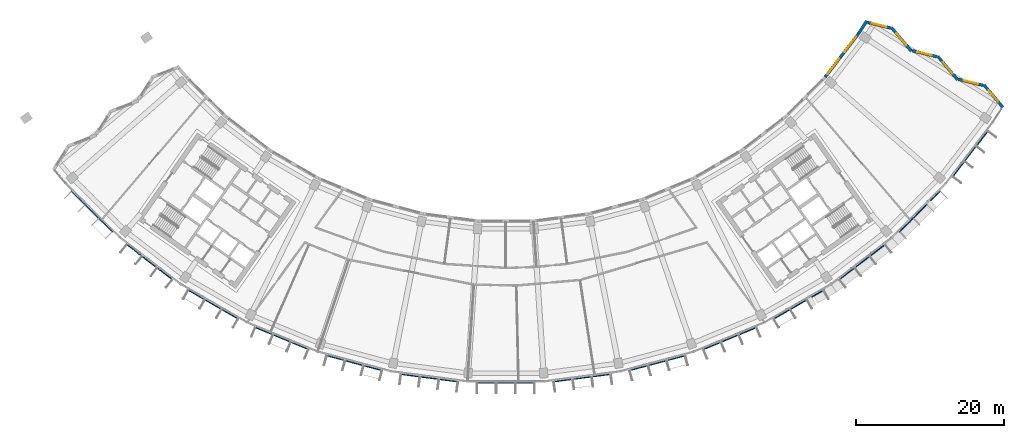
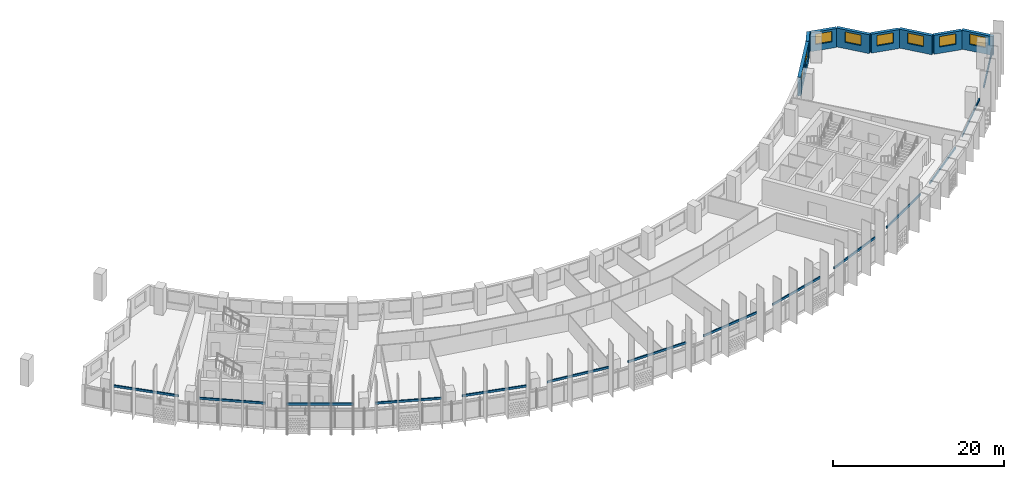
# One storey, part 8 of 27: 14 discrete accessories, 8 walls, 8 windows, 8 openings.
"""IFC4 building model written with IfcOpenShell, lengths in metres."""

from ifc_helpers import new_model, si_unit, direction, frame, frame_2d, origin, origin_2d, place, context, subcontext, project, spatial, rectangle, extrude, material, layer, layer_set, type_object, element, fill, save


model = new_model("IFC4")

# Units and contexts
model_context = context("Model", 3, precision=1e-05, world=origin(), true_north=direction((0.0, 1.0)))
body_context = subcontext(model_context, "Body", "Model", "MODEL_VIEW")
ifc_project = project(units=[si_unit("LENGTHUNIT", "METRE"), si_unit("AREAUNIT", "SQUARE_METRE"), si_unit("VOLUMEUNIT", "CUBIC_METRE"), si_unit("PLANEANGLEUNIT", "RADIAN"), si_unit("MASSUNIT", "GRAM", prefix="KILO")], contexts=[model_context])

# Site, building, storey
site_placement = place(None, origin())
site = spatial("IfcSite", under=ifc_project, at=site_placement, CompositionType="ELEMENT")
building_placement = place(site_placement, origin())
building = spatial("IfcBuilding", under=site, at=building_placement, Name="Qamariyya Broadcast Tower", CompositionType="ELEMENT")
storey_placement = place(building_placement, frame((0.0, 0.0, 172.10009765625)))
storey = spatial("IfcBuildingStorey", under=building, at=storey_placement, Name="L40", CompositionType="ELEMENT", Elevation=172.10009765625)

# Wall, opening, window
ifc_material_1 = material(Name="Terracotta", Category="masonry")
ifc_layer = layer(ifc_material_1, 0.39990234375)
ifc_layer_set = layer_set([ifc_layer], Name="Terracotta clad wall 400")
wall_type = type_object("IfcWallType", Name="Terracotta clad wall 400", PredefinedType="SOLIDWALL", material=ifc_layer_set)
wall_1_placement = place(storey_placement, frame((66.99462890625, -41.748779296875, 0.0), z_axis=(0.0, 0.0, 1.0), x_axis=(-0.644509491975, 0.764596308358, 0.0)))
wall_1 = element("IfcWall", 1, at=wall_1_placement, inside=storey, type_object=wall_type, Name="e-wl-L40-capE0", PredefinedType="SOLIDWALL", context=body_context, shape_type="SweptSolid", body=[
    extrude(rectangle(XDim=3.921630859375, YDim=0.39990234375, at=frame_2d((1.9609375, 0.0))), origin(), (0.0, 0.0, 1.0), 2.699951171875),
])
opening_1_placement = place(wall_1_placement, frame((0.9609375, 0.0, 0.89990234375)))
opening_1 = element("IfcOpeningElement", 2, at=opening_1_placement, cuts=wall_1, Name="Opening W4", PredefinedType="OPENING", context=body_context, shape_type="SweptSolid", body=[
    extrude(rectangle(XDim=2.0, YDim=1.5, at=frame_2d((1.0, 0.75))), frame((0.0, 0.2099609375, 0.0), z_axis=(0.0, -1.0, 0.0), x_axis=(1.0, 0.0, 0.0)), (0.0, 0.0, 1.0), 0.419921875),
])
ifc_material_2 = material(Name="Clear low-e double glazed unit in aluminium frame", Category="aluminium")
window_type_1 = type_object("IfcWindowType", Name="Horn bay window 2000 x 1500", PartitioningType="SINGLE_PANEL", PredefinedType="WINDOW", material=ifc_material_2)
window_1_placement = place(opening_1_placement, origin())
window_1 = element("IfcWindow", 3, at=window_1_placement, inside=storey, type_object=window_type_1, Name="e-w-L40-capE0", OverallHeight=1.5, OverallWidth=2.0, PartitioningType="SINGLE_PANEL", PredefinedType="WINDOW", context=body_context, shape_type="SweptSolid", body=[
    extrude(rectangle(XDim=2.0, YDim=1.5, at=frame_2d((1.0, 0.75))), frame((0.0, 0.030029296875, 0.0), z_axis=(0.0, -1.0, 0.0), x_axis=(1.0, 0.0, 0.0)), (0.0, 0.0, 1.0), 0.06005859375),
])
fill(opening_1, window_1)

wall_2_placement = place(storey_placement, frame((64.335693359375, -38.79150390625, 0.0), z_axis=(0.0, 0.0, 1.0), x_axis=(-0.97184812414, 0.235608199358, 0.0)))
wall_2 = element("IfcWall", 4, at=wall_2_placement, inside=storey, type_object=wall_type, Name="e-wl-L40-capE1", PredefinedType="SOLIDWALL", context=body_context, shape_type="SweptSolid", body=[
    extrude(rectangle(XDim=3.41943359375, YDim=0.39990234375, at=frame_2d((1.709716796875, 0.0))), origin(), (0.0, 0.0, 1.0), 2.699951171875),
])
opening_2_placement = place(wall_2_placement, frame((0.709716796875, 0.0, 0.89990234375)))
opening_2 = element("IfcOpeningElement", 5, at=opening_2_placement, cuts=wall_2, Name="Opening W4", PredefinedType="OPENING", context=body_context, shape_type="SweptSolid", body=[
    extrude(rectangle(XDim=2.0, YDim=1.5, at=frame_2d((1.0, 0.75))), frame((0.0, 0.2099609375, 0.0), z_axis=(0.0, -1.0, 0.0), x_axis=(1.0, 0.0, 0.0)), (0.0, 0.0, 1.0), 0.419921875),
])
window_2_placement = place(opening_2_placement, origin())
window_2 = element("IfcWindow", 6, at=window_2_placement, inside=storey, type_object=window_type_1, Name="e-w-L40-capE1", OverallHeight=1.5, OverallWidth=2.0, PartitioningType="SINGLE_PANEL", PredefinedType="WINDOW", context=body_context, shape_type="SweptSolid", body=[
    extrude(rectangle(XDim=2.0, YDim=1.5, at=frame_2d((1.0, 0.75))), frame((0.0, 0.030029296875, 0.0), z_axis=(0.0, -1.0, 0.0), x_axis=(1.0, 0.0, 0.0)), (0.0, 0.0, 1.0), 0.06005859375),
])
fill(opening_2, window_2)

wall_3_placement = place(storey_placement, frame((60.881103515625, -38.027099609375, 0.0), z_axis=(0.0, 0.0, 1.0), x_axis=(-0.64459861467, 0.764521174308, 0.0)))
wall_3 = element("IfcWall", 7, at=wall_3_placement, inside=storey, type_object=wall_type, Name="e-wl-L40-capE2", PredefinedType="SOLIDWALL", context=body_context, shape_type="SweptSolid", body=[
    extrude(rectangle(XDim=4.1083984375, YDim=0.39990234375, at=frame_2d((2.05419921875, 0.0))), origin(), (0.0, 0.0, 1.0), 2.699951171875),
])
opening_3_placement = place(wall_3_placement, frame((1.053955078125, 0.0, 0.89990234375)))
opening_3 = element("IfcOpeningElement", 8, at=opening_3_placement, cuts=wall_3, Name="Opening W4", PredefinedType="OPENING", context=body_context, shape_type="SweptSolid", body=[
    extrude(rectangle(XDim=2.0, YDim=1.5, at=frame_2d((1.0, 0.75))), frame((0.0, 0.2099609375, 0.0), z_axis=(0.0, -1.0, 0.0), x_axis=(1.0, 0.0, 0.0)), (0.0, 0.0, 1.0), 0.419921875),
])
window_3_placement = place(opening_3_placement, origin())
window_3 = element("IfcWindow", 9, at=window_3_placement, inside=storey, type_object=window_type_1, Name="e-w-L40-capE2", OverallHeight=1.5, OverallWidth=2.0, PartitioningType="SINGLE_PANEL", PredefinedType="WINDOW", context=body_context, shape_type="SweptSolid", body=[
    extrude(rectangle(XDim=2.0, YDim=1.5, at=frame_2d((1.0, 0.75))), frame((0.0, 0.030029296875, 0.0), z_axis=(0.0, -1.0, 0.0), x_axis=(1.0, 0.0, 0.0)), (0.0, 0.0, 1.0), 0.06005859375),
])
fill(opening_3, window_3)

wall_4_placement = place(storey_placement, frame((58.101806640625, -34.927490234375, 0.0), z_axis=(0.0, 0.0, 1.0), x_axis=(-0.97186893152, 0.235522355511, 0.0)))
wall_4 = element("IfcWall", 10, at=wall_4_placement, inside=storey, type_object=wall_type, Name="e-wl-L40-capE3", PredefinedType="SOLIDWALL", context=body_context, shape_type="SweptSolid", body=[
    extrude(rectangle(XDim=3.418701171875, YDim=0.39990234375, at=frame_2d((1.70947265625, 0.0))), origin(), (0.0, 0.0, 1.0), 2.699951171875),
])
opening_4_placement = place(wall_4_placement, frame((0.709228515625, 0.0, 0.89990234375)))
opening_4 = element("IfcOpeningElement", 11, at=opening_4_placement, cuts=wall_4, Name="Opening W4", PredefinedType="OPENING", context=body_context, shape_type="SweptSolid", body=[
    extrude(rectangle(XDim=2.0, YDim=1.5, at=frame_2d((1.0, 0.75))), frame((0.0, 0.2099609375, 0.0), z_axis=(0.0, -1.0, 0.0), x_axis=(1.0, 0.0, 0.0)), (0.0, 0.0, 1.0), 0.419921875),
])
window_4_placement = place(opening_4_placement, origin())
window_4 = element("IfcWindow", 12, at=window_4_placement, inside=storey, type_object=window_type_1, Name="e-w-L40-capE3", OverallHeight=1.5, OverallWidth=2.0, PartitioningType="SINGLE_PANEL", PredefinedType="WINDOW", context=body_context, shape_type="SweptSolid", body=[
    extrude(rectangle(XDim=2.0, YDim=1.5, at=frame_2d((1.0, 0.75))), frame((0.0, 0.030029296875, 0.0), z_axis=(0.0, -1.0, 0.0), x_axis=(1.0, 0.0, 0.0)), (0.0, 0.0, 1.0), 0.06005859375),
])
fill(opening_4, window_4)

wall_5_placement = place(storey_placement, frame((54.64794921875, -34.16357421875, 0.0), z_axis=(0.0, 0.0, 1.0), x_axis=(-0.644678956961, 0.764453427262, 0.0)))
wall_5 = element("IfcWall", 13, at=wall_5_placement, inside=storey, type_object=wall_type, Name="e-wl-L40-capE4", PredefinedType="SOLIDWALL", context=body_context, shape_type="SweptSolid", body=[
    extrude(rectangle(XDim=4.109375, YDim=0.39990234375, at=frame_2d((2.0546875, 0.0))), origin(), (0.0, 0.0, 1.0), 2.699951171875),
])
opening_5_placement = place(wall_5_placement, frame((1.0546875, 0.0, 0.89990234375)))
opening_5 = element("IfcOpeningElement", 14, at=opening_5_placement, cuts=wall_5, Name="Opening W4", PredefinedType="OPENING", context=body_context, shape_type="SweptSolid", body=[
    extrude(rectangle(XDim=2.0, YDim=1.5, at=frame_2d((1.0, 0.75))), frame((0.0, 0.2099609375, 0.0), z_axis=(0.0, -1.0, 0.0), x_axis=(1.0, 0.0, 0.0)), (0.0, 0.0, 1.0), 0.419921875),
])
window_5_placement = place(opening_5_placement, origin())
window_5 = element("IfcWindow", 15, at=window_5_placement, inside=storey, type_object=window_type_1, Name="e-w-L40-capE4", OverallHeight=1.5, OverallWidth=2.0, PartitioningType="SINGLE_PANEL", PredefinedType="WINDOW", context=body_context, shape_type="SweptSolid", body=[
    extrude(rectangle(XDim=2.0, YDim=1.5, at=frame_2d((1.0, 0.75))), frame((0.0, 0.030029296875, 0.0), z_axis=(0.0, -1.0, 0.0), x_axis=(1.0, 0.0, 0.0)), (0.0, 0.0, 1.0), 0.06005859375),
])
fill(opening_5, window_5)

wall_6_placement = place(storey_placement, frame((51.867431640625, -31.0634765625, 0.0), z_axis=(0.0, 0.0, 1.0), x_axis=(-0.971890662639, 0.235432665269, 0.0)))
wall_6 = element("IfcWall", 16, at=wall_6_placement, inside=storey, type_object=wall_type, Name="e-wl-L40-capE5", PredefinedType="SOLIDWALL", context=body_context, shape_type="SweptSolid", body=[
    extrude(rectangle(XDim=3.173095703125, YDim=0.39990234375, at=frame_2d((1.58642578125, 0.0))), origin(), (0.0, 0.0, 1.0), 2.699951171875),
])
opening_6_placement = place(wall_6_placement, frame((0.586669921875, 0.0, 0.89990234375)))
opening_6 = element("IfcOpeningElement", 17, at=opening_6_placement, cuts=wall_6, Name="Opening W4", PredefinedType="OPENING", context=body_context, shape_type="SweptSolid", body=[
    extrude(rectangle(XDim=2.0, YDim=1.5, at=frame_2d((1.0, 0.75))), frame((0.0, 0.2099609375, 0.0), z_axis=(0.0, -1.0, 0.0), x_axis=(1.0, 0.0, 0.0)), (0.0, 0.0, 1.0), 0.419921875),
])
window_6_placement = place(opening_6_placement, origin())
window_6 = element("IfcWindow", 18, at=window_6_placement, inside=storey, type_object=window_type_1, Name="e-w-L40-capE5", OverallHeight=1.5, OverallWidth=2.0, PartitioningType="SINGLE_PANEL", PredefinedType="WINDOW", context=body_context, shape_type="SweptSolid", body=[
    extrude(rectangle(XDim=2.0, YDim=1.5, at=frame_2d((1.0, 0.75))), frame((0.0, 0.030029296875, 0.0), z_axis=(0.0, -1.0, 0.0), x_axis=(1.0, 0.0, 0.0)), (0.0, 0.0, 1.0), 0.06005859375),
])
fill(opening_6, window_6)

# Wall, openings, windows
wall_7_placement = place(storey_placement, frame((47.538330078125, -31.8076171875, 0.0), z_axis=(0.0, 0.0, 1.0), x_axis=(-0.608769016477, -0.793347518165, 0.0)))
wall_7 = element("IfcWall", 19, at=wall_7_placement, inside=storey, type_object=wall_type, Name="e-wl-L40-in140", PredefinedType="SOLIDWALL", context=body_context, shape_type="SweptSolid", body=[
    extrude(rectangle(XDim=7.395263671875, YDim=0.39990234375, at=frame_2d((3.69775390625, 0.0))), origin(), (0.0, 0.0, 1.0), 2.699951171875),
])
opening_7_placement = place(wall_7_placement, frame((4.268798828125, 0.0, 0.89990234375)))
opening_7 = element("IfcOpeningElement", 20, at=opening_7_placement, cuts=wall_7, Name="Opening W1", PredefinedType="OPENING", context=body_context, shape_type="SweptSolid", body=[
    extrude(rectangle(XDim=2.60009765625, YDim=1.64990234375, at=frame_2d((1.300048828125, 0.824951171875))), frame((0.0, 0.2099609375, 0.0), z_axis=(0.0, -1.0, 0.0), x_axis=(1.0, 0.0, 0.0)), (0.0, 0.0, 1.0), 0.419921875),
])
opening_8_placement = place(wall_7_placement, frame((0.541015625, 0.0, 0.89990234375)))
opening_8 = element("IfcOpeningElement", 21, at=opening_8_placement, cuts=wall_7, Name="Opening W1", PredefinedType="OPENING", context=body_context, shape_type="SweptSolid", body=[
    extrude(rectangle(XDim=2.60009765625, YDim=1.64990234375, at=frame_2d((1.300048828125, 0.824951171875))), frame((0.0, 0.2099609375, 0.0), z_axis=(0.0, -1.0, 0.0), x_axis=(1.0, 0.0, 0.0)), (0.0, 0.0, 1.0), 0.419921875),
])
window_type_2 = type_object("IfcWindowType", Name="Ribbon window 2600 x 1650", PartitioningType="SINGLE_PANEL", PredefinedType="WINDOW", material=ifc_material_2)
window_7_placement = place(opening_7_placement, origin())
window_7 = element("IfcWindow", 22, at=window_7_placement, inside=storey, type_object=window_type_2, Name="e-w-L40-in14-0", OverallHeight=1.64990234375, OverallWidth=2.60009765625, PartitioningType="SINGLE_PANEL", PredefinedType="WINDOW", context=body_context, shape_type="SweptSolid", body=[
    extrude(rectangle(XDim=2.60009765625, YDim=1.64990234375, at=frame_2d((1.300048828125, 0.824951171875))), frame((0.0, 0.030029296875, 0.0), z_axis=(0.0, -1.0, 0.0), x_axis=(1.0, 0.0, 0.0)), (0.0, 0.0, 1.0), 0.06005859375),
])
fill(opening_7, window_7)
window_8_placement = place(opening_8_placement, origin())
window_8 = element("IfcWindow", 23, at=window_8_placement, inside=storey, type_object=window_type_2, Name="e-w-L40-in14-1", OverallHeight=1.64990234375, OverallWidth=2.60009765625, PartitioningType="SINGLE_PANEL", PredefinedType="WINDOW", context=body_context, shape_type="SweptSolid", body=[
    extrude(rectangle(XDim=2.60009765625, YDim=1.64990234375, at=frame_2d((1.300048828125, 0.824951171875))), frame((0.0, 0.030029296875, 0.0), z_axis=(0.0, -1.0, 0.0), x_axis=(1.0, 0.0, 0.0)), (0.0, 0.0, 1.0), 0.06005859375),
])
fill(opening_8, window_8)

# Wall
wall_8_placement = place(storey_placement, frame((48.642333984375, -30.09765625, 0.0), z_axis=(0.0, 0.0, 1.0), x_axis=(-0.541319686039, -0.840816863238, 0.0)))
element("IfcWall", 24, at=wall_8_placement, inside=storey, type_object=wall_type, Name="e-wl-L40-in150", PredefinedType="SOLIDWALL", context=body_context, shape_type="SweptSolid", body=[
    extrude(rectangle(XDim=2.019287109375, YDim=0.39990234375, at=frame_2d((1.009765625, 0.0))), origin(), (0.0, 0.0, 1.0), 2.699951171875),
])

# Discrete accessories
ifc_material_3 = material(Name="Stainless steel 316", Category="steel")
discrete_accessory_type = type_object("IfcDiscreteAccessoryType", Name="Slab edge fixing angle, stainless steel", PredefinedType="BRACKET", material=ifc_material_3)
for number, where, z_axis, x_axis, name in (
    (25, (-55.794921875, -55.794921875, 3.2998046875), (0.0, 0.0, 1.0), (0.707106781187, -0.707106781187, 0.0), "e-br-L40-01-0"),
    (26, (-48.034912109375, -62.600341796875, 3.2998046875), (0.0, 0.0, 1.0), (0.793353340291, -0.608761429009, 0.0), "e-br-L40-02-0"),
    (27, (-39.452880859375, -68.33447265625, 3.2998046875), (0.0, 0.0, 1.0), (0.866025403784, -0.5, 0.0), "e-br-L40-03-0"),
    (28, (-30.196044921875, -72.8994140625, 3.2998046875), (0.0, 0.0, 1.0), (0.923879532511, -0.382683432365, 0.0), "e-br-L40-04-0"),
    (29, (-20.42236328125, -76.21728515625, 3.2998046875), (0.0, 0.0, 1.0), (0.965925826289, -0.258819045103, 0.0), "e-br-L40-05-0"),
    (30, (-10.29931640625, -78.230712890625, 3.2998046875), (0.0, 0.0, 1.0), (0.991444861374, -0.13052619222, 0.0), "e-br-L40-06-0"),
    (31, (0.0, -78.90576171875, 3.2998046875), (0.0, 0.0, 1.0), (1.0, 0.0, 0.0), "e-br-L40-07-0"),
    (32, (10.29931640625, -78.230712890625, 3.2998046875), (0.0, 0.0, 1.0), (0.991444861374, 0.13052619222, 0.0), "e-br-L40-08-0"),
    (33, (20.42236328125, -76.21728515625, 3.2998046875), (0.0, 0.0, 1.0), (0.965925826289, 0.258819045103, 0.0), "e-br-L40-09-0"),
    (34, (30.196044921875, -72.8994140625, 3.2998046875), (0.0, 0.0, 1.0), (0.923879532511, 0.382683432365, 0.0), "e-br-L40-10-0"),
    (35, (39.452880859375, -68.33447265625, 3.2998046875), (0.0, 0.0, 1.0), (0.866025403784, 0.5, 0.0), "e-br-L40-11-0"),
    (36, (48.034912109375, -62.600341796875, 3.2998046875), (0.0, 0.0, 1.0), (0.793353340291, 0.608761429009, 0.0), "e-br-L40-12-0"),
    (37, (55.794921875, -55.794921875, 3.2998046875), (0.0, 0.0, 1.0), (0.707106781187, 0.707106781187, 0.0), "e-br-L40-13-0"),
    (38, (62.600341796875, -48.034912109375, 3.2998046875), (0.0, 0.0, 1.0), (0.608761429009, 0.793353340291, 0.0), "e-br-L40-14-0"),
):
    element("IfcDiscreteAccessory", number, at=place(storey_placement, frame(where, z_axis=z_axis, x_axis=x_axis)), inside=storey, type_object=discrete_accessory_type, Name=name, PredefinedType="BRACKET", context=body_context, shape_type="SweptSolid", body=[
        extrude(rectangle(XDim=7.850341796875, YDim=0.14990234375, at=origin_2d()), origin(), (0.0, 0.0, 1.0), 0.300048828125),
    ])

save(model, "model.ifc")
